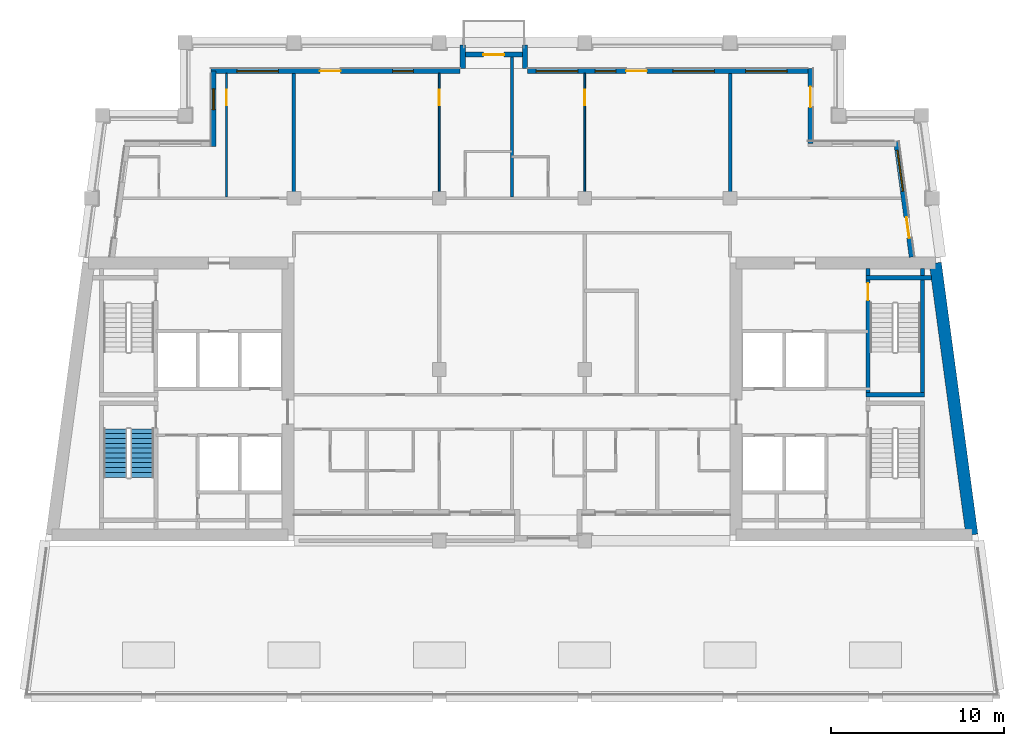
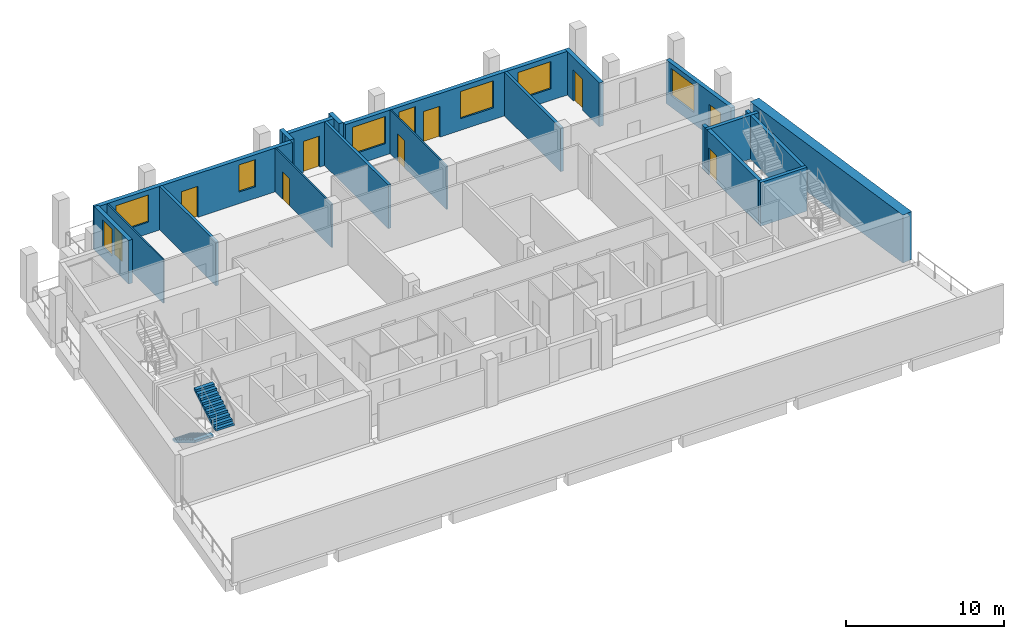
# One storey, part 5 of 12: 19 walls, 9 doors, 8 windows, 2 stair flights, 17 openings, 1 element without a shape of its own.
"""IFC4 building model written with IfcOpenShell, lengths in metres."""

from ifc_helpers import new_model, si_unit, direction, frame, frame_2d, origin, place, context, subcontext, project, spatial, polyline, rectangle, outline, extrude, material, layer, layer_set, type_object, element, fill, aggregate, save


model = new_model("IFC4")

# Units and contexts
model_context = context("Model", 3, precision=1e-05, world=origin(), true_north=direction((0.0, 1.0)))
body_context = subcontext(model_context, "Body", "Model", "MODEL_VIEW")
ifc_project = project(units=[si_unit("LENGTHUNIT", "METRE"), si_unit("AREAUNIT", "SQUARE_METRE"), si_unit("VOLUMEUNIT", "CUBIC_METRE"), si_unit("PLANEANGLEUNIT", "RADIAN"), si_unit("MASSUNIT", "GRAM", prefix="KILO")], contexts=[model_context])

# Site, building, storey
site_placement = place(None, origin())
site = spatial("IfcSite", under=ifc_project, at=site_placement, CompositionType="ELEMENT")
building_placement = place(site_placement, origin())
building = spatial("IfcBuilding", under=site, at=building_placement, Name="Candeia Pilgrim Tower and Theatre", CompositionType="ELEMENT")
storey_placement = place(building_placement, frame((0.0, 0.0, 281.199951171875)))
storey = spatial("IfcBuildingStorey", under=building, at=storey_placement, Name="L68", CompositionType="ELEMENT", Elevation=281.199951171875)

# Wall
ifc_material_1 = material(Name="Concrete C40/50", Category="concrete")
ifc_layer_1 = layer(ifc_material_1, 0.699951171875)
ifc_layer_set_1 = layer_set([ifc_layer_1], Name="Core wall 700 C40/50")
wall_type_1 = type_object("IfcWallType", Name="Core wall 700 C40/50", PredefinedType="SHEAR", material=ifc_layer_set_1)
wall_1_placement = place(storey_placement, frame((137.86328125, 132.050048828125, 0.0), z_axis=(0.0, 0.0, 1.0), x_axis=(0.133401241494, -0.991062111458, 0.0)))
element("IfcWall", 1, at=wall_1_placement, inside=storey, type_object=wall_type_1, Name="Core wall E2", PredefinedType="SHEAR", context=body_context, shape_type="SweptSolid", body=[
    extrude(rectangle(XDim=15.841552734375, YDim=0.699951171875, at=frame_2d((7.9208984375, 0.0))), origin(), (0.0, 0.0, 1.0), 3.699951171875),
])

# Wall, openings, door, window
ifc_material_2 = material(Name="Ceramic block masonry", Category="masonry")
ifc_layer_2 = layer(ifc_material_2, 0.300048828125)
ifc_layer_set_2 = layer_set([ifc_layer_2], Name="EW1 glazing-line wall 300")
wall_type_2 = type_object("IfcWallType", Name="EW1 glazing-line wall 300", PredefinedType="SOLIDWALL", material=ifc_layer_set_2)
wall_2_placement = place(storey_placement, frame((136.50439453125, 132.39990234375, 0.0), z_axis=(0.0, 0.0, 1.0), x_axis=(-0.133399697462, 0.99106231929, 0.0)))
wall_2 = element("IfcWall", 2, at=wall_2_placement, inside=storey, type_object=wall_type_2, Name="External wall L68-2.0", PredefinedType="SOLIDWALL", context=body_context, shape_type="SweptSolid", body=[
    extrude(rectangle(XDim=6.740478515625, YDim=0.300048828125, at=frame_2d((3.3701171875, 0.0))), origin(), (0.0, 0.0, 1.0), 3.380126953125),
])
opening_1_placement = place(wall_2_placement, frame((1.115234375, 0.0, 0.0)))
opening_1 = element("IfcOpeningElement", 3, at=opening_1_placement, cuts=wall_2, Name="Opening L68-ED640", PredefinedType="OPENING", context=body_context, shape_type="SweptSolid", body=[
    extrude(rectangle(XDim=1.199951171875, YDim=2.39990234375, at=frame_2d((0.60009765625, 1.199951171875))), frame((0.0, 0.16015625, 0.0), z_axis=(0.0, -1.0, 0.0), x_axis=(1.0, 0.0, 0.0)), (0.0, 0.0, 1.0), 0.320068359375),
])
opening_2_placement = place(wall_2_placement, frame((3.83544921875, 0.0, 0.89990234375)))
opening_2 = element("IfcOpeningElement", 4, at=opening_2_placement, cuts=wall_2, Name="Opening W-A", PredefinedType="OPENING", context=body_context, shape_type="SweptSolid", body=[
    extrude(rectangle(XDim=2.39990234375, YDim=2.10009765625, at=frame_2d((1.199951171875, 1.050048828125))), frame((0.0, 0.16015625, 0.0), z_axis=(0.0, -1.0, 0.0), x_axis=(1.0, 0.0, 0.0)), (0.0, 0.0, 1.0), 0.320068359375),
])
ifc_material_3 = material(Name="Aluminium framed glazed door", Category="aluminium")
door_type_1 = type_object("IfcDoorType", Name="Loggia door 1200x2400", OperationType="DOUBLE_DOOR_SINGLE_SWING", PredefinedType="DOOR", material=ifc_material_3)
door_1_placement = place(opening_1_placement, origin())
door_1 = element("IfcDoor", 5, at=door_1_placement, inside=storey, type_object=door_type_1, Name="Loggia door L68-ED640", OperationType="DOUBLE_DOOR_SINGLE_SWING", OverallHeight=2.39990234375, OverallWidth=1.199951171875, PredefinedType="DOOR", context=body_context, shape_type="SweptSolid", body=[
    extrude(rectangle(XDim=1.199951171875, YDim=2.39990234375, at=frame_2d((0.60009765625, 1.199951171875))), frame((0.0, 0.02490234375, 0.0), z_axis=(0.0, -1.0, 0.0), x_axis=(1.0, 0.0, 0.0)), (0.0, 0.0, 1.0), 0.050048828125),
])
fill(opening_1, door_1)
ifc_material_4 = material(Name="Aluminium framed double glazing", Category="aluminium")
window_type_1 = type_object("IfcWindowType", Name="W-A window 2400x2100", PartitioningType="DOUBLE_PANEL_VERTICAL", PredefinedType="WINDOW", material=ifc_material_4)
window_1_placement = place(opening_2_placement, origin())
window_1 = element("IfcWindow", 6, at=window_1_placement, inside=storey, type_object=window_type_1, Name="Window W-A L68", OverallHeight=2.10009765625, OverallWidth=2.39990234375, PartitioningType="SINGLE_PANEL", PredefinedType="WINDOW", context=body_context, shape_type="SweptSolid", body=[
    extrude(rectangle(XDim=2.39990234375, YDim=2.10009765625, at=frame_2d((1.199951171875, 1.050048828125))), frame((0.0, 0.030029296875, 0.0), z_axis=(0.0, -1.0, 0.0), x_axis=(1.0, 0.0, 0.0)), (0.0, 0.0, 1.0), 0.06005859375),
])
fill(opening_2, window_1)

# Wall, opening, door
wall_3_placement = place(storey_placement, frame((130.64990234375, 138.949951171875, 0.0), z_axis=(0.0, 0.0, 1.0), x_axis=(0.0, 1.0, 0.0)))
wall_3 = element("IfcWall", 7, at=wall_3_placement, inside=storey, type_object=wall_type_2, Name="External wall L68-4.0", PredefinedType="SOLIDWALL", context=body_context, shape_type="SweptSolid", body=[
    extrude(rectangle(XDim=4.35009765625, YDim=0.300048828125, at=frame_2d((2.175048828125, 0.0))), origin(), (0.0, 0.0, 1.0), 3.380126953125),
])
opening_3_placement = place(wall_3_placement, frame((2.10009765625, 0.0, 0.0)))
opening_3 = element("IfcOpeningElement", 8, at=opening_3_placement, cuts=wall_3, Name="Opening L68-ED641", PredefinedType="OPENING", context=body_context, shape_type="SweptSolid", body=[
    extrude(rectangle(XDim=1.199951171875, YDim=2.39990234375, at=frame_2d((0.60009765625, 1.199951171875))), frame((0.0, 0.16015625, 0.0), z_axis=(0.0, -1.0, 0.0), x_axis=(1.0, 0.0, 0.0)), (0.0, 0.0, 1.0), 0.320068359375),
])
door_2_placement = place(opening_3_placement, origin())
door_2 = element("IfcDoor", 9, at=door_2_placement, inside=storey, type_object=door_type_1, Name="Loggia door L68-ED641", OperationType="DOUBLE_DOOR_SINGLE_SWING", OverallHeight=2.39990234375, OverallWidth=1.199951171875, PredefinedType="DOOR", context=body_context, shape_type="SweptSolid", body=[
    extrude(rectangle(XDim=1.199951171875, YDim=2.39990234375, at=frame_2d((0.60009765625, 1.199951171875))), frame((0.0, 0.02490234375, 0.0), z_axis=(0.0, -1.0, 0.0), x_axis=(1.0, 0.0, 0.0)), (0.0, 0.0, 1.0), 0.050048828125),
])
fill(opening_3, door_2)

# Wall, openings, door, windows
wall_4_placement = place(storey_placement, frame((130.64990234375, 143.14990234375, 0.0), z_axis=(0.0, 0.0, 1.0), x_axis=(-1.0, 0.0, 0.0)))
wall_4 = element("IfcWall", 10, at=wall_4_placement, inside=storey, type_object=wall_type_2, Name="External wall L68-5.0", PredefinedType="SOLIDWALL", context=body_context, shape_type="SweptSolid", body=[
    extrude(rectangle(XDim=16.349853515625, YDim=0.300048828125, at=frame_2d((8.1748046875, 0.0))), origin(), (0.0, 0.0, 1.0), 3.380126953125),
])
opening_4_placement = place(wall_4_placement, frame((1.35009765625, 0.0, 0.89990234375)))
opening_4 = element("IfcOpeningElement", 11, at=opening_4_placement, cuts=wall_4, Name="Opening W-A", PredefinedType="OPENING", context=body_context, shape_type="SweptSolid", body=[
    extrude(rectangle(XDim=2.39990234375, YDim=2.10009765625, at=frame_2d((1.199951171875, 1.050048828125))), frame((0.0, 0.16015625, 0.0), z_axis=(0.0, -1.0, 0.0), x_axis=(1.0, 0.0, 0.0)), (0.0, 0.0, 1.0), 0.320068359375),
])
opening_5_placement = place(wall_4_placement, frame((5.550048828125, 0.0, 0.89990234375)))
opening_5 = element("IfcOpeningElement", 12, at=opening_5_placement, cuts=wall_4, Name="Opening W-A", PredefinedType="OPENING", context=body_context, shape_type="SweptSolid", body=[
    extrude(rectangle(XDim=2.39990234375, YDim=2.10009765625, at=frame_2d((1.199951171875, 1.050048828125))), frame((0.0, 0.16015625, 0.0), z_axis=(0.0, -1.0, 0.0), x_axis=(1.0, 0.0, 0.0)), (0.0, 0.0, 1.0), 0.320068359375),
])
opening_6_placement = place(wall_4_placement, frame((9.449951171875, 0.0, 0.0)))
opening_6 = element("IfcOpeningElement", 13, at=opening_6_placement, cuts=wall_4, Name="Opening L68-ED642", PredefinedType="OPENING", context=body_context, shape_type="SweptSolid", body=[
    extrude(rectangle(XDim=1.199951171875, YDim=2.39990234375, at=frame_2d((0.60009765625, 1.199951171875))), frame((0.0, 0.16015625, 0.0), z_axis=(0.0, -1.0, 0.0), x_axis=(1.0, 0.0, 0.0)), (0.0, 0.0, 1.0), 0.320068359375),
])
opening_7_placement = place(wall_4_placement, frame((11.25, 0.0, 0.89990234375)))
opening_7 = element("IfcOpeningElement", 14, at=opening_7_placement, cuts=wall_4, Name="Opening W-B", PredefinedType="OPENING", context=body_context, shape_type="SweptSolid", body=[
    extrude(rectangle(XDim=1.199951171875, YDim=2.10009765625, at=frame_2d((0.60009765625, 1.050048828125))), frame((0.0, 0.16015625, 0.0), z_axis=(0.0, -1.0, 0.0), x_axis=(1.0, 0.0, 0.0)), (0.0, 0.0, 1.0), 0.320068359375),
])
opening_8_placement = place(wall_4_placement, frame((13.449951171875, 0.0, 0.89990234375)))
opening_8 = element("IfcOpeningElement", 15, at=opening_8_placement, cuts=wall_4, Name="Opening W-A", PredefinedType="OPENING", context=body_context, shape_type="SweptSolid", body=[
    extrude(rectangle(XDim=2.39990234375, YDim=2.10009765625, at=frame_2d((1.199951171875, 1.050048828125))), frame((0.0, 0.16015625, 0.0), z_axis=(0.0, -1.0, 0.0), x_axis=(1.0, 0.0, 0.0)), (0.0, 0.0, 1.0), 0.320068359375),
])
door_3_placement = place(opening_6_placement, origin())
door_3 = element("IfcDoor", 16, at=door_3_placement, inside=storey, type_object=door_type_1, Name="Loggia door L68-ED642", OperationType="DOUBLE_DOOR_SINGLE_SWING", OverallHeight=2.39990234375, OverallWidth=1.199951171875, PredefinedType="DOOR", context=body_context, shape_type="SweptSolid", body=[
    extrude(rectangle(XDim=1.199951171875, YDim=2.39990234375, at=frame_2d((0.60009765625, 1.199951171875))), frame((0.0, 0.02490234375, 0.0), z_axis=(0.0, -1.0, 0.0), x_axis=(1.0, 0.0, 0.0)), (0.0, 0.0, 1.0), 0.050048828125),
])
fill(opening_6, door_3)
window_2_placement = place(opening_4_placement, origin())
window_2 = element("IfcWindow", 17, at=window_2_placement, inside=storey, type_object=window_type_1, Name="Window W-A L68", OverallHeight=2.10009765625, OverallWidth=2.39990234375, PartitioningType="SINGLE_PANEL", PredefinedType="WINDOW", context=body_context, shape_type="SweptSolid", body=[
    extrude(rectangle(XDim=2.39990234375, YDim=2.10009765625, at=frame_2d((1.199951171875, 1.050048828125))), frame((0.0, 0.030029296875, 0.0), z_axis=(0.0, -1.0, 0.0), x_axis=(1.0, 0.0, 0.0)), (0.0, 0.0, 1.0), 0.06005859375),
])
fill(opening_4, window_2)
window_3_placement = place(opening_5_placement, origin())
window_3 = element("IfcWindow", 18, at=window_3_placement, inside=storey, type_object=window_type_1, Name="Window W-A L68", OverallHeight=2.10009765625, OverallWidth=2.39990234375, PartitioningType="SINGLE_PANEL", PredefinedType="WINDOW", context=body_context, shape_type="SweptSolid", body=[
    extrude(rectangle(XDim=2.39990234375, YDim=2.10009765625, at=frame_2d((1.199951171875, 1.050048828125))), frame((0.0, 0.030029296875, 0.0), z_axis=(0.0, -1.0, 0.0), x_axis=(1.0, 0.0, 0.0)), (0.0, 0.0, 1.0), 0.06005859375),
])
fill(opening_5, window_3)
window_4_placement = place(opening_8_placement, origin())
window_4 = element("IfcWindow", 19, at=window_4_placement, inside=storey, type_object=window_type_1, Name="Window W-A L68", OverallHeight=2.10009765625, OverallWidth=2.39990234375, PartitioningType="SINGLE_PANEL", PredefinedType="WINDOW", context=body_context, shape_type="SweptSolid", body=[
    extrude(rectangle(XDim=2.39990234375, YDim=2.10009765625, at=frame_2d((1.199951171875, 1.050048828125))), frame((0.0, 0.030029296875, 0.0), z_axis=(0.0, -1.0, 0.0), x_axis=(1.0, 0.0, 0.0)), (0.0, 0.0, 1.0), 0.06005859375),
])
fill(opening_8, window_4)
window_type_2 = type_object("IfcWindowType", Name="W-B window 1200x2100", PartitioningType="SINGLE_PANEL", PredefinedType="WINDOW", material=ifc_material_4)
window_5_placement = place(opening_7_placement, origin())
window_5 = element("IfcWindow", 20, at=window_5_placement, inside=storey, type_object=window_type_2, Name="Window W-B L68", OverallHeight=2.10009765625, OverallWidth=1.199951171875, PartitioningType="SINGLE_PANEL", PredefinedType="WINDOW", context=body_context, shape_type="SweptSolid", body=[
    extrude(rectangle(XDim=1.199951171875, YDim=2.10009765625, at=frame_2d((0.60009765625, 1.050048828125))), frame((0.0, 0.030029296875, 0.0), z_axis=(0.0, -1.0, 0.0), x_axis=(1.0, 0.0, 0.0)), (0.0, 0.0, 1.0), 0.06005859375),
])
fill(opening_7, window_5)

wall_5_placement = place(storey_placement, frame((110.39990234375, 143.14990234375, 0.0), z_axis=(0.0, 0.0, 1.0), x_axis=(-1.0, 0.0, 0.0)))
wall_5 = element("IfcWall", 21, at=wall_5_placement, inside=storey, type_object=wall_type_2, Name="External wall L68-5.1", PredefinedType="SOLIDWALL", context=body_context, shape_type="SweptSolid", body=[
    extrude(rectangle(XDim=14.39990234375, YDim=0.300048828125, at=frame_2d((7.199951171875, 0.0))), origin(), (0.0, 0.0, 1.0), 3.380126953125),
])
opening_9_placement = place(wall_5_placement, frame((2.699951171875, 0.0, 0.89990234375)))
opening_9 = element("IfcOpeningElement", 22, at=opening_9_placement, cuts=wall_5, Name="Opening W-B", PredefinedType="OPENING", context=body_context, shape_type="SweptSolid", body=[
    extrude(rectangle(XDim=1.199951171875, YDim=2.10009765625, at=frame_2d((0.60009765625, 1.050048828125))), frame((0.0, 0.16015625, 0.0), z_axis=(0.0, -1.0, 0.0), x_axis=(1.0, 0.0, 0.0)), (0.0, 0.0, 1.0), 0.320068359375),
])
opening_10_placement = place(wall_5_placement, frame((6.89990234375, 0.0, 0.0)))
opening_10 = element("IfcOpeningElement", 23, at=opening_10_placement, cuts=wall_5, Name="Opening L68-ED643", PredefinedType="OPENING", context=body_context, shape_type="SweptSolid", body=[
    extrude(rectangle(XDim=1.199951171875, YDim=2.39990234375, at=frame_2d((0.60009765625, 1.199951171875))), frame((0.0, 0.16015625, 0.0), z_axis=(0.0, -1.0, 0.0), x_axis=(1.0, 0.0, 0.0)), (0.0, 0.0, 1.0), 0.320068359375),
])
opening_11_placement = place(wall_5_placement, frame((10.5, 0.0, 0.89990234375)))
opening_11 = element("IfcOpeningElement", 24, at=opening_11_placement, cuts=wall_5, Name="Opening W-A", PredefinedType="OPENING", context=body_context, shape_type="SweptSolid", body=[
    extrude(rectangle(XDim=2.39990234375, YDim=2.10009765625, at=frame_2d((1.199951171875, 1.050048828125))), frame((0.0, 0.16015625, 0.0), z_axis=(0.0, -1.0, 0.0), x_axis=(1.0, 0.0, 0.0)), (0.0, 0.0, 1.0), 0.320068359375),
])
door_4_placement = place(opening_10_placement, origin())
door_4 = element("IfcDoor", 25, at=door_4_placement, inside=storey, type_object=door_type_1, Name="Loggia door L68-ED643", OperationType="DOUBLE_DOOR_SINGLE_SWING", OverallHeight=2.39990234375, OverallWidth=1.199951171875, PredefinedType="DOOR", context=body_context, shape_type="SweptSolid", body=[
    extrude(rectangle(XDim=1.199951171875, YDim=2.39990234375, at=frame_2d((0.60009765625, 1.199951171875))), frame((0.0, 0.02490234375, 0.0), z_axis=(0.0, -1.0, 0.0), x_axis=(1.0, 0.0, 0.0)), (0.0, 0.0, 1.0), 0.050048828125),
])
fill(opening_10, door_4)
window_6_placement = place(opening_11_placement, origin())
window_6 = element("IfcWindow", 26, at=window_6_placement, inside=storey, type_object=window_type_1, Name="Window W-A L68", OverallHeight=2.10009765625, OverallWidth=2.39990234375, PartitioningType="SINGLE_PANEL", PredefinedType="WINDOW", context=body_context, shape_type="SweptSolid", body=[
    extrude(rectangle(XDim=2.39990234375, YDim=2.10009765625, at=frame_2d((1.199951171875, 1.050048828125))), frame((0.0, 0.030029296875, 0.0), z_axis=(0.0, -1.0, 0.0), x_axis=(1.0, 0.0, 0.0)), (0.0, 0.0, 1.0), 0.06005859375),
])
fill(opening_11, window_6)
window_7_placement = place(opening_9_placement, origin())
window_7 = element("IfcWindow", 27, at=window_7_placement, inside=storey, type_object=window_type_2, Name="Window W-B L68", OverallHeight=2.10009765625, OverallWidth=1.199951171875, PartitioningType="SINGLE_PANEL", PredefinedType="WINDOW", context=body_context, shape_type="SweptSolid", body=[
    extrude(rectangle(XDim=1.199951171875, YDim=2.10009765625, at=frame_2d((0.60009765625, 1.050048828125))), frame((0.0, 0.030029296875, 0.0), z_axis=(0.0, -1.0, 0.0), x_axis=(1.0, 0.0, 0.0)), (0.0, 0.0, 1.0), 0.06005859375),
])
fill(opening_9, window_7)

# Wall, opening, window
wall_6_placement = place(storey_placement, frame((96.14990234375, 143.14990234375, 0.0), z_axis=(0.0, 0.0, 1.0), x_axis=(0.0, -1.0, 0.0)))
wall_6 = element("IfcWall", 28, at=wall_6_placement, inside=storey, type_object=wall_type_2, Name="External wall L68-6.0", PredefinedType="SOLIDWALL", context=body_context, shape_type="SweptSolid", body=[
    extrude(rectangle(XDim=4.349853515625, YDim=0.300048828125, at=frame_2d((2.1748046875, 0.0))), origin(), (0.0, 0.0, 1.0), 3.380126953125),
])
opening_12_placement = place(wall_6_placement, frame((1.02490234375, 0.0, 0.89990234375)))
opening_12 = element("IfcOpeningElement", 29, at=opening_12_placement, cuts=wall_6, Name="Opening W-B", PredefinedType="OPENING", context=body_context, shape_type="SweptSolid", body=[
    extrude(rectangle(XDim=1.199951171875, YDim=2.10009765625, at=frame_2d((0.60009765625, 1.050048828125))), frame((0.0, 0.16015625, 0.0), z_axis=(0.0, -1.0, 0.0), x_axis=(1.0, 0.0, 0.0)), (0.0, 0.0, 1.0), 0.320068359375),
])
window_8_placement = place(opening_12_placement, origin())
window_8 = element("IfcWindow", 30, at=window_8_placement, inside=storey, type_object=window_type_2, Name="Window W-B L68", OverallHeight=2.10009765625, OverallWidth=1.199951171875, PartitioningType="SINGLE_PANEL", PredefinedType="WINDOW", context=body_context, shape_type="SweptSolid", body=[
    extrude(rectangle(XDim=1.199951171875, YDim=2.10009765625, at=frame_2d((0.60009765625, 1.050048828125))), frame((0.0, 0.030029296875, 0.0), z_axis=(0.0, -1.0, 0.0), x_axis=(1.0, 0.0, 0.0)), (0.0, 0.0, 1.0), 0.06005859375),
])
fill(opening_12, window_8)

# Walls
ifc_layer_3 = layer(ifc_material_2, 0.300048828125)
ifc_layer_set_3 = layer_set([ifc_layer_3], Name="EW2 entrance infill wall 300")
wall_type_3 = type_object("IfcWallType", Name="EW2 entrance infill wall 300", PredefinedType="SOLIDWALL", material=ifc_layer_set_3)
for number, where, z_axis, x_axis, name in (
    (31, (114.14990234375, 143.300048828125, 0.0), (0.0, 0.0, 1.0), (0.0, 1.0, 0.0), "Alcove wall L68"),
    (32, (110.550048828125, 143.300048828125, 0.0), (0.0, 0.0, 1.0), (0.0, 1.0, 0.0), "Alcove wall L68"),
):
    element("IfcWall", number, at=place(storey_placement, frame(where, z_axis=z_axis, x_axis=x_axis)), inside=storey, type_object=wall_type_3, Name=name, PredefinedType="SOLIDWALL", context=body_context, shape_type="SweptSolid", body=[
        extrude(rectangle(XDim=1.349853515625, YDim=0.300048828125, at=frame_2d((0.6748046875, 0.0))), origin(), (0.0, 0.0, 1.0), 3.380126953125),
    ])

# Wall, opening, door
wall_7_placement = place(storey_placement, frame((114.300048828125, 144.10009765625, 0.0), z_axis=(0.0, 0.0, 1.0), x_axis=(-1.0, 0.0, 0.0)))
wall_7 = element("IfcWall", 33, at=wall_7_placement, inside=storey, type_object=wall_type_3, Name="Alcove wall L68", PredefinedType="SOLIDWALL", context=body_context, shape_type="SweptSolid", body=[
    extrude(rectangle(XDim=3.900146484375, YDim=0.300048828125, at=frame_2d((1.9501953125, 0.0))), origin(), (0.0, 0.0, 1.0), 3.380126953125),
])
opening_13_placement = place(wall_7_placement, frame((1.35009765625, 0.0, 0.0)))
opening_13 = element("IfcOpeningElement", 34, at=opening_13_placement, cuts=wall_7, Name="Opening L68-ED644", PredefinedType="OPENING", context=body_context, shape_type="SweptSolid", body=[
    extrude(rectangle(XDim=1.199951171875, YDim=2.39990234375, at=frame_2d((0.60009765625, 1.199951171875))), frame((0.0, 0.16015625, 0.0), z_axis=(0.0, -1.0, 0.0), x_axis=(1.0, 0.0, 0.0)), (0.0, 0.0, 1.0), 0.320068359375),
])
door_5_placement = place(opening_13_placement, origin())
door_5 = element("IfcDoor", 35, at=door_5_placement, inside=storey, type_object=door_type_1, Name="Balcony door L68-ED644", OperationType="DOUBLE_DOOR_SINGLE_SWING", OverallHeight=2.39990234375, OverallWidth=1.199951171875, PredefinedType="DOOR", context=body_context, shape_type="SweptSolid", body=[
    extrude(rectangle(XDim=1.199951171875, YDim=2.39990234375, at=frame_2d((0.60009765625, 1.199951171875))), frame((0.0, 0.02490234375, 0.0), z_axis=(0.0, -1.0, 0.0), x_axis=(1.0, 0.0, 0.0)), (0.0, 0.0, 1.0), 0.050048828125),
])
fill(opening_13, door_5)

ifc_material_5 = material(Name="Gypsum board partition on steel studs", Category="steel")
ifc_layer_4 = layer(ifc_material_5, 0.10009765625)
ifc_layer_set_4 = layer_set([ifc_layer_4], Name="PW-100 room partition")
wall_type_4 = type_object("IfcWallType", Name="PW-100 room partition", PredefinedType="PARTITIONING", material=ifc_layer_set_4)
wall_8_placement = place(storey_placement, frame((96.89990234375, 135.875, 0.0), z_axis=(0.0, 0.0, 1.0), x_axis=(0.0, 1.0, 0.0)))
wall_8 = element("IfcWall", 36, at=wall_8_placement, inside=storey, type_object=wall_type_4, Name="Room partition L68-047", PredefinedType="PARTITIONING", context=body_context, shape_type="SweptSolid", body=[
    extrude(rectangle(XDim=7.135009765625, YDim=0.10009765625, at=frame_2d((3.5673828125, 0.0))), origin(), (0.0, 0.0, 1.0), 3.380126953125),
])
opening_14_placement = place(wall_8_placement, frame((5.2900390625, 0.0, 0.0)))
opening_14 = element("IfcOpeningElement", 37, at=opening_14_placement, cuts=wall_8, Name="Opening L68-D021", PredefinedType="OPENING", context=body_context, shape_type="SweptSolid", body=[
    extrude(rectangle(XDim=0.89990234375, YDim=2.10009765625, at=frame_2d((0.449951171875, 1.050048828125))), frame((0.0, 0.06005859375, 0.0), z_axis=(0.0, -1.0, 0.0), x_axis=(1.0, 0.0, 0.0)), (0.0, 0.0, 1.0), 0.1201171875),
])
ifc_material_6 = material(Name="Timber door leaf", Category="wood")
door_type_2 = type_object("IfcDoorType", Name="D-900", OperationType="NOTDEFINED", PredefinedType="DOOR", material=ifc_material_6)
door_6_placement = place(opening_14_placement, origin())
door_6 = element("IfcDoor", 38, at=door_6_placement, inside=storey, type_object=door_type_2, Name="Door L68-D021", OperationType="SINGLE_SWING_LEFT", OverallHeight=2.10009765625, OverallWidth=0.89990234375, PredefinedType="DOOR", context=body_context, shape_type="SweptSolid", body=[
    extrude(rectangle(XDim=0.89990234375, YDim=2.10009765625, at=frame_2d((0.449951171875, 1.050048828125))), frame((0.0, 0.02490234375, 0.0), z_axis=(0.0, -1.0, 0.0), x_axis=(1.0, 0.0, 0.0)), (0.0, 0.0, 1.0), 0.050048828125),
])
fill(opening_14, door_6)

wall_9_placement = place(storey_placement, frame((109.199951171875, 135.875, 0.0), z_axis=(0.0, 0.0, 1.0), x_axis=(0.0, 1.0, 0.0)))
wall_9 = element("IfcWall", 39, at=wall_9_placement, inside=storey, type_object=wall_type_4, Name="Room partition L68-057", PredefinedType="PARTITIONING", context=body_context, shape_type="SweptSolid", body=[
    extrude(rectangle(XDim=7.135009765625, YDim=0.10009765625, at=frame_2d((3.5673828125, 0.0))), origin(), (0.0, 0.0, 1.0), 3.380126953125),
])
opening_15_placement = place(wall_9_placement, frame((5.2900390625, 0.0, 0.0)))
opening_15 = element("IfcOpeningElement", 40, at=opening_15_placement, cuts=wall_9, Name="Opening L68-D024", PredefinedType="OPENING", context=body_context, shape_type="SweptSolid", body=[
    extrude(rectangle(XDim=0.89990234375, YDim=2.10009765625, at=frame_2d((0.449951171875, 1.050048828125))), frame((0.0, 0.06005859375, 0.0), z_axis=(0.0, -1.0, 0.0), x_axis=(1.0, 0.0, 0.0)), (0.0, 0.0, 1.0), 0.1201171875),
])
door_7_placement = place(opening_15_placement, origin())
door_7 = element("IfcDoor", 41, at=door_7_placement, inside=storey, type_object=door_type_2, Name="Door L68-D024", OperationType="SINGLE_SWING_RIGHT", OverallHeight=2.10009765625, OverallWidth=0.89990234375, PredefinedType="DOOR", context=body_context, shape_type="SweptSolid", body=[
    extrude(rectangle(XDim=0.89990234375, YDim=2.10009765625, at=frame_2d((0.449951171875, 1.050048828125))), frame((0.0, 0.02490234375, 0.0), z_axis=(0.0, -1.0, 0.0), x_axis=(1.0, 0.0, 0.0)), (0.0, 0.0, 1.0), 0.050048828125),
])
fill(opening_15, door_7)

wall_10_placement = place(storey_placement, frame((117.60009765625, 135.875, 0.0), z_axis=(0.0, 0.0, 1.0), x_axis=(0.0, 1.0, 0.0)))
wall_10 = element("IfcWall", 42, at=wall_10_placement, inside=storey, type_object=wall_type_4, Name="Room partition L68-064", PredefinedType="PARTITIONING", context=body_context, shape_type="SweptSolid", body=[
    extrude(rectangle(XDim=7.135009765625, YDim=0.10009765625, at=frame_2d((3.5673828125, 0.0))), origin(), (0.0, 0.0, 1.0), 3.380126953125),
])
opening_16_placement = place(wall_10_placement, frame((5.2900390625, 0.0, 0.0)))
opening_16 = element("IfcOpeningElement", 43, at=opening_16_placement, cuts=wall_10, Name="Opening L68-D027", PredefinedType="OPENING", context=body_context, shape_type="SweptSolid", body=[
    extrude(rectangle(XDim=0.89990234375, YDim=2.10009765625, at=frame_2d((0.449951171875, 1.050048828125))), frame((0.0, 0.06005859375, 0.0), z_axis=(0.0, -1.0, 0.0), x_axis=(1.0, 0.0, 0.0)), (0.0, 0.0, 1.0), 0.1201171875),
])
door_8_placement = place(opening_16_placement, origin())
door_8 = element("IfcDoor", 44, at=door_8_placement, inside=storey, type_object=door_type_2, Name="Door L68-D027", OperationType="SINGLE_SWING_LEFT", OverallHeight=2.10009765625, OverallWidth=0.89990234375, PredefinedType="DOOR", context=body_context, shape_type="SweptSolid", body=[
    extrude(rectangle(XDim=0.89990234375, YDim=2.10009765625, at=frame_2d((0.449951171875, 1.050048828125))), frame((0.0, 0.02490234375, 0.0), z_axis=(0.0, -1.0, 0.0), x_axis=(1.0, 0.0, 0.0)), (0.0, 0.0, 1.0), 0.050048828125),
])
fill(opening_16, door_8)

# Walls
ifc_layer_5 = layer(ifc_material_5, 0.199951171875)
ifc_layer_set_5 = layer_set([ifc_layer_5], Name="PW-200 party wall")
wall_type_5 = type_object("IfcWallType", Name="PW-200 party wall", PredefinedType="PARTITIONING", material=ifc_layer_set_5)
wall_11_placement = place(storey_placement, frame((100.800048828125, 135.875, 0.0), z_axis=(0.0, 0.0, 1.0), x_axis=(0.0, 1.0, 0.0)))
element("IfcWall", 45, at=wall_11_placement, inside=storey, type_object=wall_type_5, Name="Party wall L68-051", PredefinedType="PARTITIONING", context=body_context, shape_type="SweptSolid", body=[
    extrude(rectangle(XDim=7.135009765625, YDim=0.199951171875, at=frame_2d((3.5673828125, 0.0))), origin(), (0.0, 0.0, 1.0), 3.380126953125),
])
wall_12_placement = place(storey_placement, frame((113.39990234375, 135.875, 0.0), z_axis=(0.0, 0.0, 1.0), x_axis=(0.0, 1.0, 0.0)))
element("IfcWall", 46, at=wall_12_placement, inside=storey, type_object=wall_type_5, Name="Party wall L68-061", PredefinedType="PARTITIONING", context=body_context, shape_type="SweptSolid", body=[
    extrude(rectangle(XDim=8.0849609375, YDim=0.199951171875, at=frame_2d((4.04248046875, 0.0))), origin(), (0.0, 0.0, 1.0), 3.380126953125),
])
wall_13_placement = place(storey_placement, frame((126.0, 135.875, 0.0), z_axis=(0.0, 0.0, 1.0), x_axis=(0.0, 1.0, 0.0)))
element("IfcWall", 47, at=wall_13_placement, inside=storey, type_object=wall_type_5, Name="Party wall L68-071", PredefinedType="PARTITIONING", context=body_context, shape_type="SweptSolid", body=[
    extrude(rectangle(XDim=7.135009765625, YDim=0.199951171875, at=frame_2d((3.5673828125, 0.0))), origin(), (0.0, 0.0, 1.0), 3.380126953125),
])
ifc_layer_6 = layer(ifc_material_1, 0.25)
ifc_layer_set_6 = layer_set([ifc_layer_6], Name="SW-250 stair wall")
wall_type_6 = type_object("IfcWallType", Name="SW-250 stair wall", PredefinedType="PARTITIONING", material=ifc_layer_set_6)
wall_14_placement = place(storey_placement, frame((133.847900390625, 124.449951171875, 0.0), z_axis=(0.0, 0.0, 1.0), x_axis=(1.0, 0.0, 0.0)))
element("IfcWall", 48, at=wall_14_placement, inside=storey, type_object=wall_type_6, Name="Stair wall L68-023", PredefinedType="PARTITIONING", context=body_context, shape_type="SweptSolid", body=[
    extrude(rectangle(XDim=3.400146484375, YDim=0.25, at=frame_2d((1.7001953125, 0.0))), origin(), (0.0, 0.0, 1.0), 3.380126953125),
])
wall_15_placement = place(storey_placement, frame((133.847900390625, 131.199951171875, 0.0), z_axis=(0.0, 0.0, 1.0), x_axis=(1.0, 0.0, 0.0)))
element("IfcWall", 49, at=wall_15_placement, inside=storey, type_object=wall_type_6, Name="Stair wall L68-033", PredefinedType="PARTITIONING", context=body_context, shape_type="SweptSolid", body=[
    extrude(rectangle(XDim=3.806640625, YDim=0.25, at=frame_2d((1.9033203125, 0.0))), origin(), (0.0, 0.0, 1.0), 3.380126953125),
])

# Wall, opening, door
wall_16_placement = place(storey_placement, frame((133.972900390625, 124.574951171875, 0.0), z_axis=(0.0, 0.0, 1.0), x_axis=(0.0, 1.0, 0.0)))
wall_16 = element("IfcWall", 50, at=wall_16_placement, inside=storey, type_object=wall_type_6, Name="Stair wall L68-080", PredefinedType="PARTITIONING", context=body_context, shape_type="SweptSolid", body=[
    extrude(rectangle(XDim=7.155029296875, YDim=0.25, at=frame_2d((3.57763671875, 0.0))), origin(), (0.0, 0.0, 1.0), 3.380126953125),
])
opening_17_placement = place(wall_16_placement, frame((5.324951171875, 0.0, 0.0)))
opening_17 = element("IfcOpeningElement", 51, at=opening_17_placement, cuts=wall_16, Name="Opening L68-D007", PredefinedType="OPENING", context=body_context, shape_type="SweptSolid", body=[
    extrude(rectangle(XDim=1.0, YDim=2.10009765625, at=frame_2d((0.5, 1.050048828125))), frame((0.0, 0.135009765625, 0.0), z_axis=(0.0, -1.0, 0.0), x_axis=(1.0, 0.0, 0.0)), (0.0, 0.0, 1.0), 0.27001953125),
])
ifc_material_7 = material(Name="Steel fire door set", Category="steel")
door_type_3 = type_object("IfcDoorType", Name="D-1000-FD60", OperationType="NOTDEFINED", PredefinedType="DOOR", material=ifc_material_7)
door_9_placement = place(opening_17_placement, origin())
door_9 = element("IfcDoor", 52, at=door_9_placement, inside=storey, type_object=door_type_3, Name="Door L68-D007", OperationType="SINGLE_SWING_LEFT", OverallHeight=2.10009765625, OverallWidth=1.0, PredefinedType="DOOR", context=body_context, shape_type="SweptSolid", body=[
    extrude(rectangle(XDim=1.0, YDim=2.10009765625, at=frame_2d((0.5, 1.050048828125))), frame((0.0, 0.02490234375, 0.0), z_axis=(0.0, -1.0, 0.0), x_axis=(1.0, 0.0, 0.0)), (0.0, 0.0, 1.0), 0.050048828125),
])
fill(opening_17, door_9)

# Wall
wall_17_placement = place(storey_placement, frame((137.123046875, 124.574951171875, 0.0), z_axis=(0.0, 0.0, 1.0), x_axis=(0.0, 1.0, 0.0)))
element("IfcWall", 53, at=wall_17_placement, inside=storey, type_object=wall_type_6, Name="Stair wall L68-082", PredefinedType="PARTITIONING", context=body_context, shape_type="SweptSolid", body=[
    extrude(rectangle(XDim=7.155029296875, YDim=0.25, at=frame_2d((3.57763671875, 0.0))), origin(), (0.0, 0.0, 1.0), 3.380126953125),
])

# Stair, stair flights
stair_type = type_object("IfcStairType", Name="ST-TWR dog-leg escape stair", PredefinedType="HALF_TURN_STAIR", material=ifc_material_1)
stair_placement = place(storey_placement, origin())
stair = element("IfcStair", 54, at=stair_placement, inside=storey, type_object=stair_type, Name="L68 Escape stair ST1", PredefinedType="HALF_TURN_STAIR")
stair_flight_type = type_object("IfcStairFlightType", Name="SFL-RC stair flight", PredefinedType="STRAIGHT", material=ifc_material_1)
stair_flight_1_placement = place(storey_placement, frame((90.47705078125, 122.47509765625, 0.0), z_axis=(0.0, 0.0, 1.0), x_axis=(0.0, -1.0, 0.0)))
stair_flight_1 = element("IfcStairFlight", 55, at=stair_flight_1_placement, type_object=stair_flight_type, Name="ST1 flight 1", NumberOfRisers=11, NumberOfTreads=10, PredefinedType="STRAIGHT", RiserHeight=0.168181818, TreadLength=0.28, context=body_context, shape_type="SweptSolid", body=[
    extrude(outline(polyline([(0.0, 0.0), (0.0, 0.168212890625), (0.280029296875, 0.168212890625), (0.280029296875, 0.33642578125), (0.56005859375, 0.33642578125), (0.56005859375, 0.504638671875), (0.840087890625, 0.504638671875), (0.840087890625, 0.672607421875), (1.1201171875, 0.672607421875), (1.1201171875, 0.8408203125), (1.39990234375, 0.8408203125), (1.39990234375, 1.009033203125), (1.679931640625, 1.009033203125), (1.679931640625, 1.17724609375), (1.9599609375, 1.17724609375), (1.9599609375, 1.345458984375), (2.239990234375, 1.345458984375), (2.239990234375, 1.513671875), (2.52001953125, 1.513671875), (2.52001953125, 1.681884765625), (2.800048828125, 1.681884765625), (2.800048828125, 1.85009765625), (2.800048828125, 1.5068359375), (0.291015625, 0.0), (0.0, 0.0)])), frame((0.0, 0.675048828125, 0.0), z_axis=(0.0, -1.0, 0.0), x_axis=(1.0, 0.0, 0.0)), (0.0, 0.0, 1.0), 1.35009765625),
])
stair_flight_2_placement = place(storey_placement, frame((92.027099609375, 119.675048828125, 1.85009765625), z_axis=(0.0, 0.0, 1.0), x_axis=(0.0, 1.0, 0.0)))
stair_flight_2 = element("IfcStairFlight", 56, at=stair_flight_2_placement, type_object=stair_flight_type, Name="ST1 flight 2", NumberOfRisers=11, NumberOfTreads=10, PredefinedType="STRAIGHT", RiserHeight=0.168181818, TreadLength=0.28, context=body_context, shape_type="SweptSolid", body=[
    extrude(outline(polyline([(0.0, 0.0), (0.0, 0.168212890625), (0.280029296875, 0.168212890625), (0.280029296875, 0.33642578125), (0.56005859375, 0.33642578125), (0.56005859375, 0.504638671875), (0.840087890625, 0.504638671875), (0.840087890625, 0.672607421875), (1.1201171875, 0.672607421875), (1.1201171875, 0.8408203125), (1.39990234375, 0.8408203125), (1.39990234375, 1.009033203125), (1.679931640625, 1.009033203125), (1.679931640625, 1.17724609375), (1.9599609375, 1.17724609375), (1.9599609375, 1.345458984375), (2.239990234375, 1.345458984375), (2.239990234375, 1.513671875), (2.52001953125, 1.513671875), (2.52001953125, 1.681884765625), (2.800048828125, 1.681884765625), (2.800048828125, 1.85009765625), (2.800048828125, 1.5068359375), (0.291015625, 0.0), (0.0, 0.0)])), frame((0.0, 0.675048828125, 0.0), z_axis=(0.0, -1.0, 0.0), x_axis=(1.0, 0.0, 0.0)), (0.0, 0.0, 1.0), 1.35009765625),
])
aggregate(stair, [stair_flight_1, stair_flight_2])

save(model, "model.ifc")
